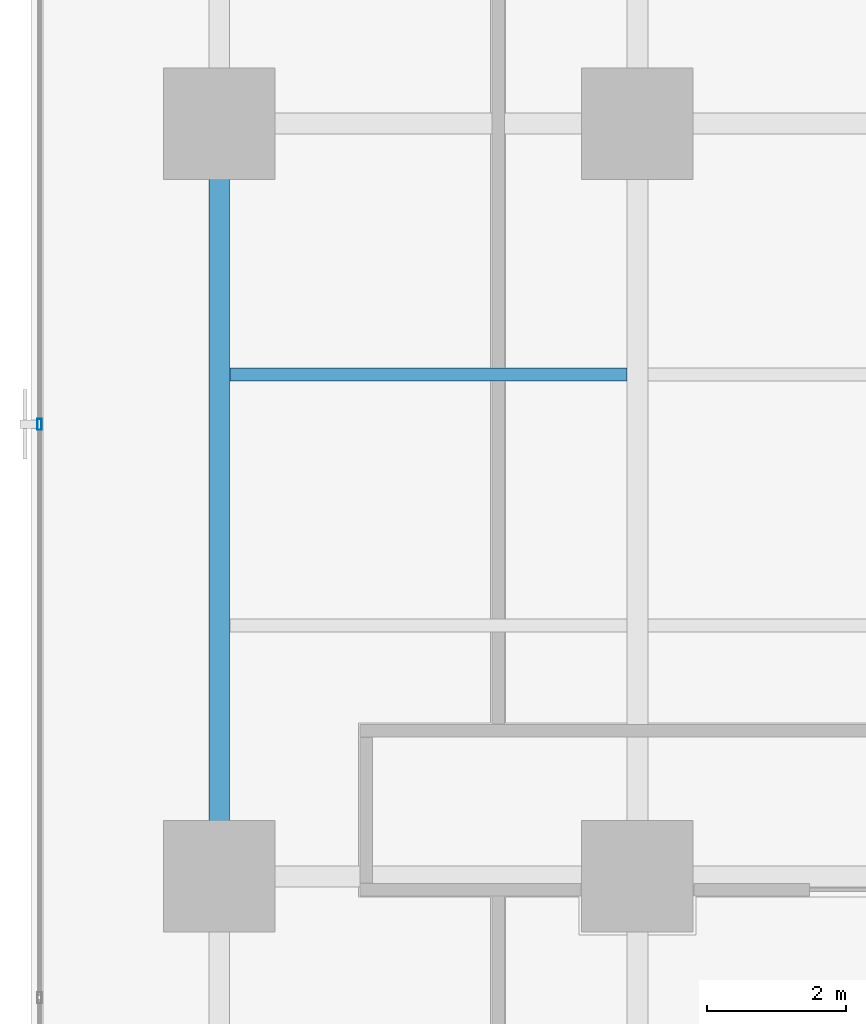
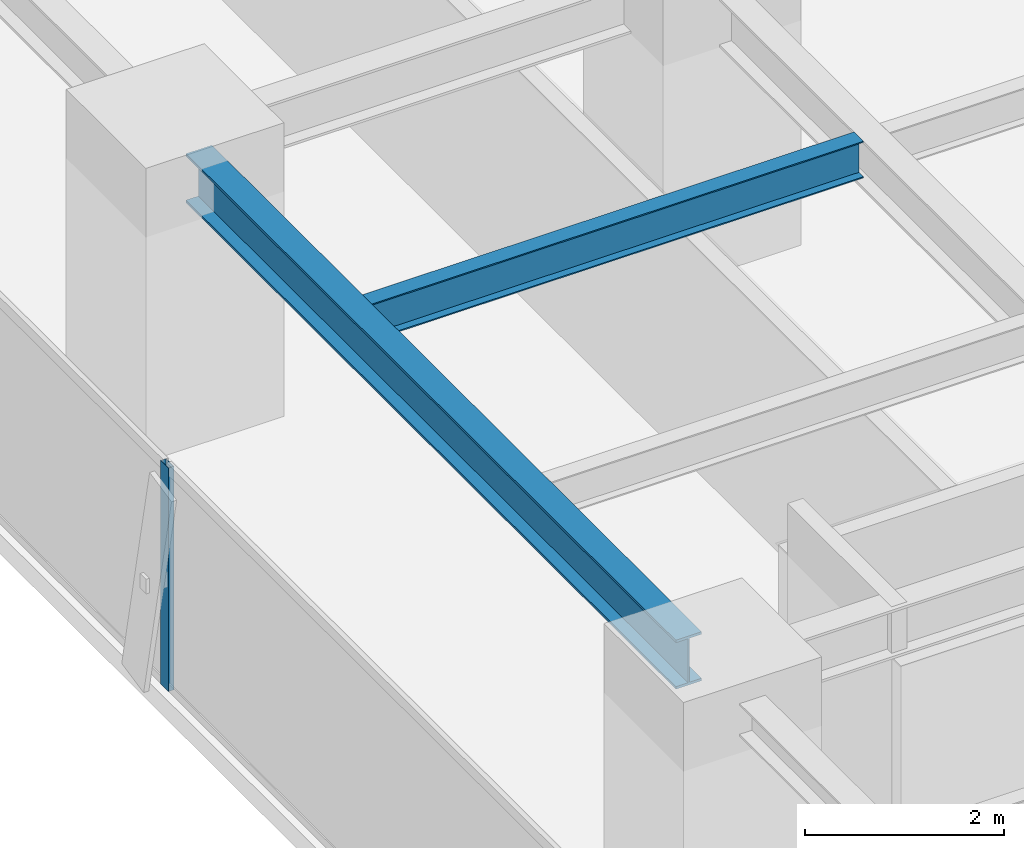
# One storey, part 8 of 36: 2 beams, 1 member, 1 element without a shape of its own.
"""IFC4 building model written with IfcOpenShell, lengths in metres."""

from ifc_helpers import new_model, si_unit, direction, frame, origin, origin_2d, place, context, subcontext, project, spatial, hollow_rectangle, i_section, extrude, source, transform, mapped, material, layer, layer_set, material_profile, profile_set, type_object, element, aggregate, save


model = new_model("IFC4")

# Units and contexts
model_context = context("Model", 3, precision=1e-05, world=origin(), true_north=direction((0.0, 1.0)))
body_context = subcontext(model_context, "Body", "Model", "MODEL_VIEW")
ifc_project = project(units=[si_unit("LENGTHUNIT", "METRE"), si_unit("AREAUNIT", "SQUARE_METRE"), si_unit("VOLUMEUNIT", "CUBIC_METRE"), si_unit("PLANEANGLEUNIT", "RADIAN"), si_unit("MASSUNIT", "GRAM", prefix="KILO")], contexts=[model_context])

# Site, building, storey
site_placement = place(None, origin())
site = spatial("IfcSite", under=ifc_project, at=site_placement, CompositionType="ELEMENT")
building_placement = place(site_placement, origin())
building = spatial("IfcBuilding", under=site, at=building_placement, Name="Sumidabori Civic Tower", CompositionType="ELEMENT")
storey_placement = place(building_placement, frame((0.0, 0.0, 113.60009765625)))
storey = spatial("IfcBuildingStorey", under=building, at=storey_placement, Name="L29", CompositionType="ELEMENT", Elevation=113.60009765625)

# Beams
ifc_material_1 = material(Name="Steel SN490", Category="steel")
ifc_material_profile_1 = material_profile(ifc_material_1, i_section(OverallWidth=0.300048828125, OverallDepth=0.60009765625, WebThickness=0.015380859375, FlangeThickness=0.030029296875, at=origin_2d()), Name="HE 600 B")
ifc_profile_set_1 = profile_set([ifc_material_profile_1], Name="Steel SN490")
beam_type_1 = type_object("IfcBeamType", Name="BM-GIRD-600", PredefinedType="BEAM", material=ifc_profile_set_1)
shared_shape_1 = source(origin(), body_context, "Body", "SweptSolid", [
    extrude(i_section(OverallWidth=0.300048828125, OverallDepth=0.60009765625, WebThickness=0.015380859375, FlangeThickness=0.030029296875, at=origin_2d()), origin(), (0.0, 0.0, 1.0), 9.840087890625),
])
beam_1_placement = place(storey_placement, frame((-22.800048828125, -10.320068359375, 3.059814453125), z_axis=(0.0, 1.0, 0.0), x_axis=(-1.0, 0.0, 0.0)))
element("IfcBeam", 1, at=beam_1_placement, inside=storey, type_object=beam_type_1, Name="Primary Girder L29 GY-22", PredefinedType="BEAM", context=body_context, shape_type="MappedRepresentation", body=[
    mapped(shared_shape_1, transform((0.0, 0.0, 0.0), x_axis=(1.0, 0.0, 0.0), y_axis=(0.0, 1.0, 0.0), z_axis=(0.0, 0.0, 1.0), scale=1.0)),
])
ifc_material_profile_2 = material_profile(ifc_material_1, i_section(OverallWidth=0.18994140625, OverallDepth=0.449951171875, WebThickness=0.009521484375, FlangeThickness=0.0146484375, at=origin_2d()), Name="IPE 450")
ifc_profile_set_2 = profile_set([ifc_material_profile_2], Name="Steel SN490")
beam_type_2 = type_object("IfcBeamType", Name="BM-JST-450", PredefinedType="JOIST", material=ifc_profile_set_2)
shared_shape_2 = source(origin(), body_context, "Body", "SweptSolid", [
    extrude(i_section(OverallWidth=0.18994140625, OverallDepth=0.449951171875, WebThickness=0.009521484375, FlangeThickness=0.0146484375, at=origin_2d()), origin(), (0.0, 0.0, 1.0), 5.699951171875),
])
beam_2_placement = place(storey_placement, frame((-22.64990234375, -3.60009765625, 3.135009765625), z_axis=(1.0, 0.0, 0.0), x_axis=(0.0, 1.0, 0.0)))
element("IfcBeam", 2, at=beam_2_placement, inside=storey, type_object=beam_type_2, Name="Outer Bay Floor Joist L29 JSTO-45", PredefinedType="JOIST", context=body_context, shape_type="MappedRepresentation", body=[
    mapped(shared_shape_2, transform((0.0, 0.0, 0.0), x_axis=(1.0, 0.0, 0.0), y_axis=(0.0, 1.0, 0.0), z_axis=(0.0, 0.0, 1.0), scale=1.0)),
])

# Curtain wall, member
ifc_material_2 = material(Name="Anodised Bronze Aluminium AW-6063-T6", Category="aluminium")
ifc_layer = layer(ifc_material_2, 0.179931640625, Name="Anodised Bronze Aluminium AW-6063-T6")
ifc_layer_set = layer_set([ifc_layer], Name="Anodised Bronze Aluminium AW-6063-T6")
curtain_wall_type = type_object("IfcCurtainWallType", Name="CW-SYS-3", PredefinedType="NOTDEFINED", material=ifc_layer_set)
curtain_wall_placement = place(storey_placement, origin())
curtain_wall = element("IfcCurtainWall", 3, at=curtain_wall_placement, inside=storey, type_object=curtain_wall_type, Name="Curtain Wall CW:L29:R10", PredefinedType="NOTDEFINED")
ifc_material_profile_3 = material_profile(ifc_material_2, hollow_rectangle(XDim=0.06494140625, YDim=0.159912109375, WallThickness=0.0048828125, at=origin_2d()), Name="ALU MULLION 160x65")
ifc_profile_set_3 = profile_set([ifc_material_profile_3], Name="Anodised Bronze Aluminium AW-6063-T6")
member_type = type_object("IfcMemberType", Name="CW-MUL-160", PredefinedType="MULLION", material=ifc_profile_set_3)
shared_shape_3 = source(origin(), body_context, "Body", "SweptSolid", [
    extrude(hollow_rectangle(XDim=0.06494140625, YDim=0.159912109375, WallThickness=0.0048828125, at=origin_2d()), origin(), (0.0, 0.0, 1.0), 2.739990234375),
])
member_placement = place(storey_placement, frame((-25.3798828125, -4.31396484375, 0.0), z_axis=(0.0, 0.0, 1.0), x_axis=(1.0, 0.0, 0.0)))
member = element("IfcMember", 4, at=member_placement, type_object=member_type, Name="CW-3 mullion 4", PredefinedType="MULLION", context=body_context, shape_type="MappedRepresentation", body=[
    mapped(shared_shape_3, transform((0.0, 0.0, 0.0), x_axis=(1.0, 0.0, 0.0), y_axis=(0.0, 1.0, 0.0), z_axis=(0.0, 0.0, 1.0), scale=1.0)),
])
aggregate(curtain_wall, [member])

save(model, "model.ifc")
